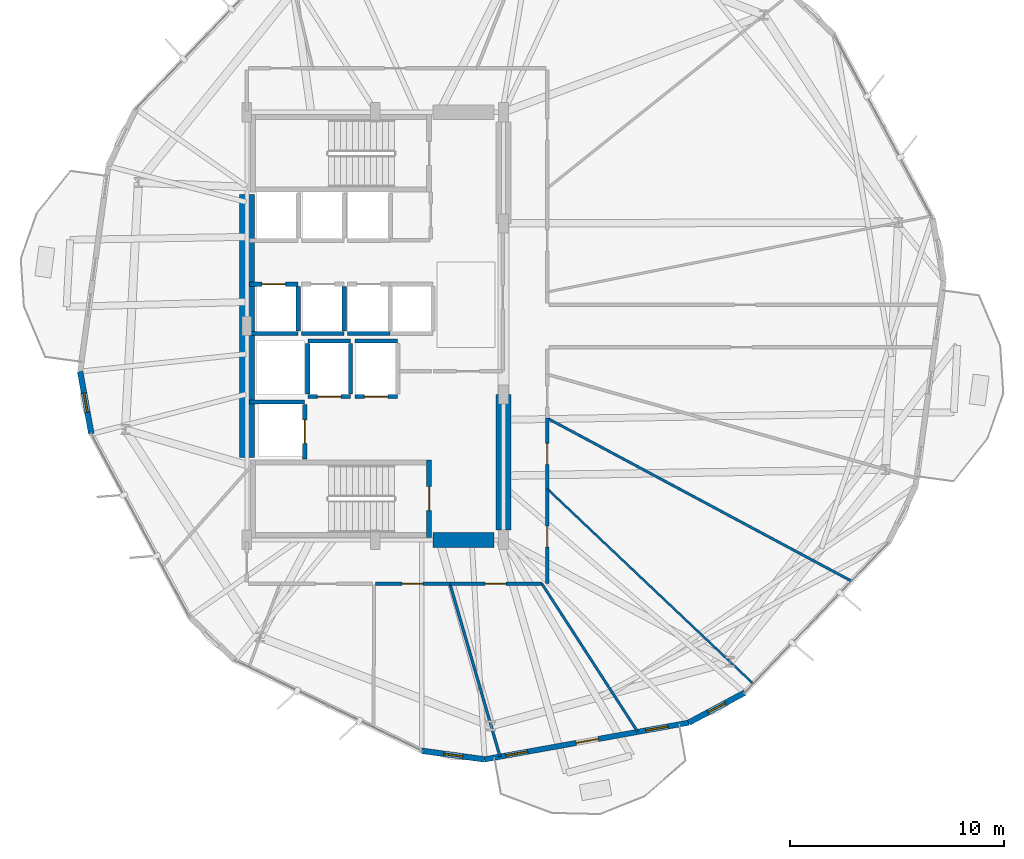
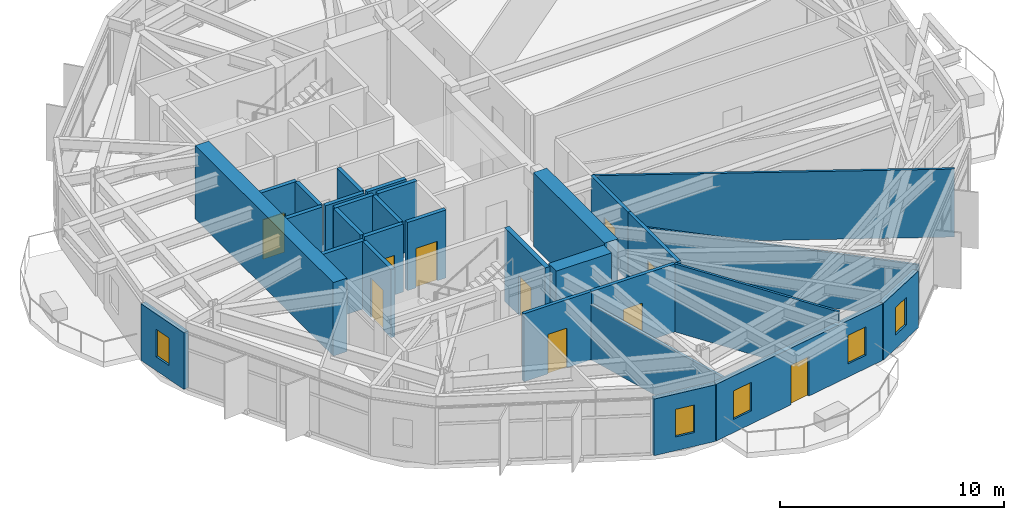
# One storey, part 17 of 22: 30 walls, 10 doors, 5 windows, 15 openings.
"""IFC4 building model written with IfcOpenShell, lengths in metres."""

import ifcopenshell
import ifcopenshell.guid

model = None  # the IFC model being written
_history = None  # IfcOwnerHistory: only IFC2X3 demands one
_inside = {}  # id of a spatial element -> (the spatial element, [elements in it])
_under = {}  # id of a project, library or spatial element -> (it, [spatial elements below it])
_declared = {}  # id of a project -> (the project, [libraries it declares])
_typed = {}  # id of a type object -> (the type object, [elements of that type])
_made_of = {}  # id of a material, layer set ... -> (it, [elements and type objects made of it])


def new_model(schema):
    """Start an empty IFC model of exactly this schema.

    Asked for "IFC4X3", IfcOpenShell would pick the latest addendum, in which some entities
    have other attributes; the version numbers below select the first issue.
    IFC2X3 requires an IfcOwnerHistory on every rooted entity: one is made here for all.
    """
    global model, _history
    if schema == "IFC4X3":
        model = ifcopenshell.file(schema_version=(4, 3, 0, 0))
    else:
        model = ifcopenshell.file(schema=schema)
    _inside.clear()
    _under.clear()
    _declared.clear()
    _typed.clear()
    _made_of.clear()
    _history = None
    if model.schema == "IFC2X3":
        org = make("IfcOrganization", Name="unknown")
        user = make(
            "IfcPersonAndOrganization",
            ThePerson=make("IfcPerson", FamilyName="unknown"),
            TheOrganization=org,
        )
        app = make(
            "IfcApplication",
            ApplicationDeveloper=org,
            Version="unknown",
            ApplicationFullName="unknown",
            ApplicationIdentifier="unknown",
        )
        _history = make(
            "IfcOwnerHistory",
            OwningUser=user,
            OwningApplication=app,
            ChangeAction="ADDED",
            CreationDate=0,
        )
    return model


def make(cls, **values):
    """One entity of the class cls with the attributes given. An attribute that is None is left unset."""
    return model.create_entity(
        cls, **{name: value for name, value in values.items() if value is not None}
    )


def rooted(cls, **values):
    """An entity with a GlobalId (a new one), such as an element, a storey or a relation."""
    return make(cls, GlobalId=ifcopenshell.guid.new(), OwnerHistory=_history, **values)


def si_unit(unit_type, name, prefix=None):
    """IfcSIUnit, for example si_unit("LENGTHUNIT", "METRE", prefix="MILLI")."""
    return make("IfcSIUnit", UnitType=unit_type, Prefix=prefix, Name=name)


def assignment(units):
    """IfcUnitAssignment: the units of a project."""
    return None if units is None else make("IfcUnitAssignment", Units=units)


def point(xyz):
    """IfcCartesianPoint."""
    return None if xyz is None else make("IfcCartesianPoint", Coordinates=xyz)


def direction(xyz):
    """IfcDirection."""
    return None if xyz is None else make("IfcDirection", DirectionRatios=xyz)


def frame(location, z_axis=None, x_axis=None):
    """IfcAxis2Placement3D, a coordinate frame: its origin and axes. An axis left out is left unset."""
    return make(
        "IfcAxis2Placement3D",
        Location=point(location),
        Axis=direction(z_axis),
        RefDirection=direction(x_axis),
    )


def frame_2d(location, x_axis=None):
    """IfcAxis2Placement2D, a coordinate frame in the plane: its origin and x axis."""
    return make(
        "IfcAxis2Placement2D", Location=point(location), RefDirection=direction(x_axis)
    )


def origin():
    """The frame at (0, 0, 0) with its axes left unset."""
    return frame((0.0, 0.0, 0.0))


def place(relative_to, where):
    """IfcLocalPlacement: puts the frame where relative to a parent placement (None: the world)."""
    return make(
        "IfcLocalPlacement", PlacementRelTo=relative_to, RelativePlacement=where
    )


def context(
    kind, dimensions, precision=None, world=None, true_north=None, identifier=None
):
    """IfcGeometricRepresentationContext, for example the 3D "Model" context."""
    return make(
        "IfcGeometricRepresentationContext",
        ContextIdentifier=identifier,
        ContextType=kind,
        CoordinateSpaceDimension=dimensions,
        Precision=precision,
        WorldCoordinateSystem=world,
        TrueNorth=true_north,
    )


def subcontext(parent, identifier, kind, view, scale=None):
    """IfcGeometricRepresentationSubContext, for example "Body" below "Model"."""
    return make(
        "IfcGeometricRepresentationSubContext",
        ContextIdentifier=identifier,
        ContextType=kind,
        ParentContext=parent,
        TargetScale=scale,
        TargetView=view,
    )


def project(units=None, contexts=None):
    """IfcProject with its units and contexts."""
    return rooted(
        "IfcProject",
        Name="project",
        RepresentationContexts=contexts,
        UnitsInContext=assignment(units),
    )


def spatial(cls, under=None, at=None, **own):
    """A site, building, storey or space (cls), placed at a placement, below another one or the project."""
    s = rooted(cls, ObjectPlacement=at, **own)
    if under is not None:
        _under.setdefault(under.id(), (under, []))[1].append(s)
    return s


def profile(cls, at=None, kind="AREA", **sizes):
    """A parametric profile (cls). Its sizes go by their IFC names, for example OverallWidth=200.0."""
    return make(cls, ProfileType=kind, Position=at, **sizes)


def rectangle(**sizes):
    """IfcRectangleProfileDef."""
    return profile("IfcRectangleProfileDef", **sizes)


def extrude(swept, where, along, depth):
    """IfcExtrudedAreaSolid: the profile swept, set in the frame where, extruded along a direction by depth."""
    return make(
        "IfcExtrudedAreaSolid",
        SweptArea=swept,
        Position=where,
        ExtrudedDirection=direction(along),
        Depth=depth,
    )


def shape(context_of_items, identifier, shape_type, items):
    """IfcShapeRepresentation: the items that make up one representation, for example the "Body"."""
    return make(
        "IfcShapeRepresentation",
        ContextOfItems=context_of_items,
        RepresentationIdentifier=identifier,
        RepresentationType=shape_type,
        Items=items,
    )


def material(Name=None, Category=None):
    """IfcMaterial."""
    return make("IfcMaterial", Name=Name, Category=Category)


def layer(
    of_material, thickness, ventilated=None, Name=None, Category=None, Priority=None
):
    """IfcMaterialLayer: one layer of a wall or slab, of a material (None: an air gap)."""
    return make(
        "IfcMaterialLayer",
        Material=of_material,
        LayerThickness=thickness,
        IsVentilated=ventilated,
        Name=Name,
        Category=Category,
        Priority=Priority,
    )


def layer_set(layers, Name=None):
    """IfcMaterialLayerSet."""
    return make("IfcMaterialLayerSet", MaterialLayers=layers, LayerSetName=Name)


def made_of(thing, what):
    """Note that an element or type object is made of a material, layer set ...; save() writes the relation."""
    if what is not None:
        _made_of.setdefault(what.id(), (what, []))[1].append(thing)
    return thing


def type_object(cls, material=None, **own):
    """A type object (cls), such as IfcWallType, which elements share."""
    return made_of(rooted(cls, **own), material)


def element(
    cls,
    number,
    at=None,
    inside=None,
    cuts=None,
    type_object=None,
    material=None,
    context=None,
    identifier="Body",
    shape_type=None,
    held_by="IfcProductDefinitionShape",
    body=None,
    shapes=None,
    **own,
):
    """One element of the class cls, such as IfcWall. Its Tag is "e" and its number.

    at: its placement. inside: the storey or other place that contains it. cuts: it is an
    opening in that element (IfcRelVoidsElement). A single representation is given by context,
    identifier, shape_type and body (its items); several are given by shapes. held_by: the class
    of the entity that holds the representations. save() writes the other relations.
    """
    e = rooted(cls, Tag="e%d" % number, ObjectPlacement=at, **own)
    if body is not None:
        shapes = [shape(context, identifier, shape_type, body)]
    if shapes is not None:
        e.Representation = make(held_by, Representations=shapes)
    if inside is not None:
        _inside.setdefault(inside.id(), (inside, []))[1].append(e)
    if cuts is not None:
        rooted(
            "IfcRelVoidsElement", RelatingBuildingElement=cuts, RelatedOpeningElement=e
        )
    if type_object is not None:
        _typed.setdefault(type_object.id(), (type_object, []))[1].append(e)
    return made_of(e, material)


def fill(opening, filler):
    """IfcRelFillsElement: the door or window that sits in an opening."""
    return rooted(
        "IfcRelFillsElement",
        RelatingOpeningElement=opening,
        RelatedBuildingElement=filler,
    )


def aggregate(whole, parts):
    """IfcRelAggregates: a whole, such as a stair, and the parts it consists of."""
    return rooted("IfcRelAggregates", RelatingObject=whole, RelatedObjects=parts)


def save(model, path):
    """Write the relations noted so far, then the file.

    IfcRelAggregates (storeys below a building ...), IfcRelContainedInSpatialStructure (elements
    in a storey), IfcRelDefinesByType, IfcRelAssociatesMaterial and IfcRelDeclares: one each for
    every whole, place, type object, material and project.
    """
    for whole, parts in _under.values():
        aggregate(whole, parts)
    for where, things in _inside.values():
        rooted(
            "IfcRelContainedInSpatialStructure",
            RelatedElements=things,
            RelatingStructure=where,
        )
    for kind, things in _typed.values():
        rooted("IfcRelDefinesByType", RelatedObjects=things, RelatingType=kind)
    for what, things in _made_of.values():
        rooted("IfcRelAssociatesMaterial", RelatedObjects=things, RelatingMaterial=what)
    for by, libraries in _declared.values():
        rooted("IfcRelDeclares", RelatingContext=by, RelatedDefinitions=libraries)
    model.write(path)


model = new_model("IFC4")

# Units and contexts
model_context = context("Model", 3, precision=1e-05, world=origin(), true_north=direction((0.0, 1.0)))
body_context = subcontext(model_context, "Body", "Model", "MODEL_VIEW")
ifc_project = project(units=[si_unit("LENGTHUNIT", "METRE"), si_unit("AREAUNIT", "SQUARE_METRE"), si_unit("VOLUMEUNIT", "CUBIC_METRE"), si_unit("PLANEANGLEUNIT", "RADIAN"), si_unit("MASSUNIT", "GRAM", prefix="KILO")], contexts=[model_context])

# Site, building, storey
site_placement = place(None, origin())
site = spatial("IfcSite", under=ifc_project, at=site_placement, CompositionType="ELEMENT")
building_placement = place(site_placement, origin())
building = spatial("IfcBuilding", under=site, at=building_placement, Name="Soratama Intermodal Tower", CompositionType="ELEMENT")
storey_placement = place(building_placement, frame((0.0, 0.0, 66.60009765625)))
storey = spatial("IfcBuildingStorey", under=building, at=storey_placement, Name="L15", CompositionType="ELEMENT", Elevation=66.60009765625)

# Wall, openings, door, windows
ifc_material_1 = material(Name="Concrete f'c 42 MPa", Category="concrete")
ifc_layer_1 = layer(ifc_material_1, 0.25)
ifc_layer_set_1 = layer_set([ifc_layer_1], Name="Concrete f'c 42 MPa")
wall_type_1 = type_object("IfcWallType", Name="EW-BAL-250", PredefinedType="SOLIDWALL", material=ifc_layer_set_1)
wall_1_placement = place(storey_placement, frame((43.720458984375, 4.7294921875, 0.0), z_axis=(0.0, 0.0, 1.0), x_axis=(0.984196927588, 0.177077406028, 0.0)))
wall_1 = element("IfcWall", 1, at=wall_1_placement, inside=storey, type_object=wall_type_1, Name="L15 Terrace Wall F08", PredefinedType="SOLIDWALL", context=body_context, shape_type="SweptSolid", body=[
    extrude(rectangle(XDim=9.697998046875, YDim=0.25, at=frame_2d((4.84912109375, 0.0))), origin(), (0.0, 0.0, 1.0), 3.078857421875),
])
opening_1_placement = place(wall_1_placement, frame((4.34912109375, 0.0, 0.0)))
opening_1 = element("IfcOpeningElement", 2, at=opening_1_placement, cuts=wall_1, Name="Opening ED-5", PredefinedType="OPENING", context=body_context, shape_type="SweptSolid", body=[
    extrude(rectangle(XDim=1.050048828125, YDim=2.14990234375, at=frame_2d((0.52490234375, 1.074951171875))), frame((0.0, 0.135009765625, 0.0), z_axis=(0.0, -1.0, 0.0), x_axis=(1.0, 0.0, 0.0)), (0.0, 0.0, 1.0), 0.27001953125),
])
opening_2_placement = place(wall_1_placement, frame((0.994873046875, 0.0, 0.719970703125)))
opening_2 = element("IfcOpeningElement", 3, at=opening_2_placement, cuts=wall_1, Name="Opening WN-5", PredefinedType="OPENING", context=body_context, shape_type="SweptSolid", body=[
    extrude(rectangle(XDim=1.050048828125, YDim=1.550048828125, at=frame_2d((0.52490234375, 0.77490234375))), frame((0.0, 0.135009765625, 0.0), z_axis=(0.0, -1.0, 0.0), x_axis=(1.0, 0.0, 0.0)), (0.0, 0.0, 1.0), 0.27001953125),
])
opening_3_placement = place(wall_1_placement, frame((7.665771484375, 0.0, 0.719970703125)))
opening_3 = element("IfcOpeningElement", 4, at=opening_3_placement, cuts=wall_1, Name="Opening WN-5", PredefinedType="OPENING", context=body_context, shape_type="SweptSolid", body=[
    extrude(rectangle(XDim=1.050048828125, YDim=1.550048828125, at=frame_2d((0.52490234375, 0.77490234375))), frame((0.0, 0.135009765625, 0.0), z_axis=(0.0, -1.0, 0.0), x_axis=(1.0, 0.0, 0.0)), (0.0, 0.0, 1.0), 0.27001953125),
])
ifc_material_2 = material(Name="Double-glazed aluminium door", Category="aluminium")
door_type_1 = type_object("IfcDoorType", Name="DR-BAL-1050", OperationType="NOTDEFINED", PredefinedType="DOOR", material=ifc_material_2)
door_1_placement = place(opening_1_placement, origin())
door_1 = element("IfcDoor", 5, at=door_1_placement, inside=storey, type_object=door_type_1, Name="L15 Balcony Door F08", OperationType="SINGLE_SWING_RIGHT", OverallHeight=2.14990234375, OverallWidth=1.050048828125, PredefinedType="DOOR", context=body_context, shape_type="SweptSolid", body=[
    extrude(rectangle(XDim=1.050048828125, YDim=2.14990234375, at=frame_2d((0.52490234375, 1.074951171875))), frame((0.0, 0.02490234375, 0.0), z_axis=(0.0, -1.0, 0.0), x_axis=(1.0, 0.0, 0.0)), (0.0, 0.0, 1.0), 0.050048828125),
])
fill(opening_1, door_1)
ifc_material_3 = material(Name="Double-glazed aluminium window", Category="aluminium")
window_type_1 = type_object("IfcWindowType", Name="WN-FAC-1050", PartitioningType="SINGLE_PANEL", PredefinedType="WINDOW", material=ifc_material_3)
window_1_placement = place(opening_2_placement, origin())
window_1 = element("IfcWindow", 6, at=window_1_placement, inside=storey, type_object=window_type_1, Name="L15 Window A F08", OverallHeight=1.550048828125, OverallWidth=1.050048828125, PartitioningType="SINGLE_PANEL", PredefinedType="WINDOW", context=body_context, shape_type="SweptSolid", body=[
    extrude(rectangle(XDim=1.050048828125, YDim=1.550048828125, at=frame_2d((0.52490234375, 0.77490234375))), frame((0.0, 0.030029296875, 0.0), z_axis=(0.0, -1.0, 0.0), x_axis=(1.0, 0.0, 0.0)), (0.0, 0.0, 1.0), 0.06005859375),
])
fill(opening_2, window_1)
window_2_placement = place(opening_3_placement, origin())
window_2 = element("IfcWindow", 7, at=window_2_placement, inside=storey, type_object=window_type_1, Name="L15 Window B F08", OverallHeight=1.550048828125, OverallWidth=1.050048828125, PartitioningType="SINGLE_PANEL", PredefinedType="WINDOW", context=body_context, shape_type="SweptSolid", body=[
    extrude(rectangle(XDim=1.050048828125, YDim=1.550048828125, at=frame_2d((0.52490234375, 0.77490234375))), frame((0.0, 0.030029296875, 0.0), z_axis=(0.0, -1.0, 0.0), x_axis=(1.0, 0.0, 0.0)), (0.0, 0.0, 1.0), 0.06005859375),
])
fill(opening_3, window_2)

# Wall, opening, window
ifc_material_4 = material(Name="Concrete f'c 42 MPa", Category="concrete")
ifc_layer_2 = layer(ifc_material_4, 0.27001953125)
ifc_layer_set_2 = layer_set([ifc_layer_2], Name="Concrete f'c 42 MPa")
wall_type_2 = type_object("IfcWallType", Name="EW-CRN-270", PredefinedType="SOLIDWALL", material=ifc_layer_set_2)
wall_2_placement = place(storey_placement, frame((24.80078125, 22.872802734375, 0.0), z_axis=(0.0, 0.0, 1.0), x_axis=(0.177089231547, -0.984194799859, 0.0)))
wall_2 = element("IfcWall", 8, at=wall_2_placement, inside=storey, type_object=wall_type_2, Name="L15 Corner Closure Wall 05", PredefinedType="SOLIDWALL", context=body_context, shape_type="SweptSolid", body=[
    extrude(rectangle(XDim=2.966796875, YDim=0.27001953125, at=frame_2d((1.4833984375, 0.0))), origin(), (0.0, 0.0, 1.0), 3.078857421875),
])
opening_4_placement = place(wall_2_placement, frame((1.033203125, 0.0, 0.75)))
opening_4 = element("IfcOpeningElement", 9, at=opening_4_placement, cuts=wall_2, Name="Opening WN-6", PredefinedType="OPENING", context=body_context, shape_type="SweptSolid", body=[
    extrude(rectangle(XDim=0.89990234375, YDim=1.5, at=frame_2d((0.449951171875, 0.75))), frame((0.0, 0.14501953125, 0.0), z_axis=(0.0, -1.0, 0.0), x_axis=(1.0, 0.0, 0.0)), (0.0, 0.0, 1.0), 0.2900390625),
])
ifc_material_5 = material(Name="Double-glazed aluminium window", Category="aluminium")
window_type_2 = type_object("IfcWindowType", Name="WN-FAC-900", PartitioningType="SINGLE_PANEL", PredefinedType="WINDOW", material=ifc_material_5)
window_3_placement = place(opening_4_placement, origin())
window_3 = element("IfcWindow", 10, at=window_3_placement, inside=storey, type_object=window_type_2, Name="L15 Corner Window 05", OverallHeight=1.5, OverallWidth=0.89990234375, PartitioningType="SINGLE_PANEL", PredefinedType="WINDOW", context=body_context, shape_type="SweptSolid", body=[
    extrude(rectangle(XDim=0.89990234375, YDim=1.5, at=frame_2d((0.449951171875, 0.75))), frame((0.0, 0.030029296875, 0.0), z_axis=(0.0, -1.0, 0.0), x_axis=(1.0, 0.0, 0.0)), (0.0, 0.0, 1.0), 0.06005859375),
])
fill(opening_4, window_3)

wall_3_placement = place(storey_placement, frame((40.78125, 5.132080078125, 0.0), z_axis=(0.0, 0.0, 1.0), x_axis=(0.990749365916, -0.13570443595, 0.0)))
wall_3 = element("IfcWall", 11, at=wall_3_placement, inside=storey, type_object=wall_type_2, Name="L15 Corner Closure Wall 07", PredefinedType="SOLIDWALL", context=body_context, shape_type="SweptSolid", body=[
    extrude(rectangle(XDim=2.966552734375, YDim=0.27001953125, at=frame_2d((1.4833984375, 0.0))), origin(), (0.0, 0.0, 1.0), 3.078857421875),
])
opening_5_placement = place(wall_3_placement, frame((1.033203125, 0.0, 0.75)))
opening_5 = element("IfcOpeningElement", 12, at=opening_5_placement, cuts=wall_3, Name="Opening WN-6", PredefinedType="OPENING", context=body_context, shape_type="SweptSolid", body=[
    extrude(rectangle(XDim=0.89990234375, YDim=1.5, at=frame_2d((0.449951171875, 0.75))), frame((0.0, 0.14501953125, 0.0), z_axis=(0.0, -1.0, 0.0), x_axis=(1.0, 0.0, 0.0)), (0.0, 0.0, 1.0), 0.2900390625),
])
window_4_placement = place(opening_5_placement, origin())
window_4 = element("IfcWindow", 13, at=window_4_placement, inside=storey, type_object=window_type_2, Name="L15 Corner Window 07", OverallHeight=1.5, OverallWidth=0.89990234375, PartitioningType="SINGLE_PANEL", PredefinedType="WINDOW", context=body_context, shape_type="SweptSolid", body=[
    extrude(rectangle(XDim=0.89990234375, YDim=1.5, at=frame_2d((0.449951171875, 0.75))), frame((0.0, 0.030029296875, 0.0), z_axis=(0.0, -1.0, 0.0), x_axis=(1.0, 0.0, 0.0)), (0.0, 0.0, 1.0), 0.06005859375),
])
fill(opening_5, window_4)

wall_4_placement = place(storey_placement, frame((53.26513671875, 6.44677734375, 0.0), z_axis=(0.0, 0.0, 1.0), x_axis=(0.881307407795, 0.47254338739, 0.0)))
wall_4 = element("IfcWall", 14, at=wall_4_placement, inside=storey, type_object=wall_type_2, Name="L15 Corner Closure Wall 08", PredefinedType="SOLIDWALL", context=body_context, shape_type="SweptSolid", body=[
    extrude(rectangle(XDim=2.966552734375, YDim=0.27001953125, at=frame_2d((1.4833984375, 0.0))), origin(), (0.0, 0.0, 1.0), 3.078857421875),
])
opening_6_placement = place(wall_4_placement, frame((1.033203125, 0.0, 0.75)))
opening_6 = element("IfcOpeningElement", 15, at=opening_6_placement, cuts=wall_4, Name="Opening WN-6", PredefinedType="OPENING", context=body_context, shape_type="SweptSolid", body=[
    extrude(rectangle(XDim=0.89990234375, YDim=1.5, at=frame_2d((0.449951171875, 0.75))), frame((0.0, 0.14501953125, 0.0), z_axis=(0.0, -1.0, 0.0), x_axis=(1.0, 0.0, 0.0)), (0.0, 0.0, 1.0), 0.2900390625),
])
window_5_placement = place(opening_6_placement, origin())
window_5 = element("IfcWindow", 16, at=window_5_placement, inside=storey, type_object=window_type_2, Name="L15 Corner Window 08", OverallHeight=1.5, OverallWidth=0.89990234375, PartitioningType="SINGLE_PANEL", PredefinedType="WINDOW", context=body_context, shape_type="SweptSolid", body=[
    extrude(rectangle(XDim=0.89990234375, YDim=1.5, at=frame_2d((0.449951171875, 0.75))), frame((0.0, 0.030029296875, 0.0), z_axis=(0.0, -1.0, 0.0), x_axis=(1.0, 0.0, 0.0)), (0.0, 0.0, 1.0), 0.06005859375),
])
fill(opening_6, window_5)

# Wall, opening, door
ifc_material_6 = material(Name="Fire-rated gypsum stud partition", Category="concrete")
ifc_layer_3 = layer(ifc_material_6, 0.169921875)
ifc_layer_set_3 = layer_set([ifc_layer_3], Name="Fire-rated gypsum stud partition")
wall_type_3 = type_object("IfcWallType", Name="IW-PART-R170", PredefinedType="PARTITIONING", material=ifc_layer_set_3)
wall_5_placement = place(storey_placement, frame((46.64990234375, 17.385009765625, 0.0), z_axis=(0.0, 0.0, 1.0), x_axis=(0.0, -1.0, 0.0)))
wall_5 = element("IfcWall", 17, at=wall_5_placement, inside=storey, type_object=wall_type_3, Name="L15 Partition W-L15-TP018", PredefinedType="PARTITIONING", context=body_context, shape_type="SweptSolid", body=[
    extrude(rectangle(XDim=4.43505859375, YDim=0.169921875, at=frame_2d((2.217529296875, 0.0))), origin(), (0.0, 0.0, 1.0), 3.699951171875),
])
opening_7_placement = place(wall_5_placement, frame((1.742919921875, 0.0, 0.0)))
opening_7 = element("IfcOpeningElement", 18, at=opening_7_placement, cuts=wall_5, Name="Opening ID-5", PredefinedType="OPENING", context=body_context, shape_type="SweptSolid", body=[
    extrude(rectangle(XDim=0.97998046875, YDim=2.14990234375, at=frame_2d((0.489990234375, 1.074951171875))), frame((0.0, 0.094970703125, 0.0), z_axis=(0.0, -1.0, 0.0), x_axis=(1.0, 0.0, 0.0)), (0.0, 0.0, 1.0), 0.18994140625),
])
ifc_material_7 = material(Name="Solid hardwood acoustic door", Category="wood")
door_type_2 = type_object("IfcDoorType", Name="DR-OFF-980", OperationType="NOTDEFINED", PredefinedType="DOOR", material=ifc_material_7)
door_2_placement = place(opening_7_placement, origin())
door_2 = element("IfcDoor", 19, at=door_2_placement, inside=storey, type_object=door_type_2, Name="L15 Door D-L15-TP007", OperationType="SINGLE_SWING_RIGHT", OverallHeight=2.14990234375, OverallWidth=0.97998046875, PredefinedType="DOOR", context=body_context, shape_type="SweptSolid", body=[
    extrude(rectangle(XDim=0.97998046875, YDim=2.14990234375, at=frame_2d((0.489990234375, 1.074951171875))), frame((0.0, 0.02490234375, 0.0), z_axis=(0.0, -1.0, 0.0), x_axis=(1.0, 0.0, 0.0)), (0.0, 0.0, 1.0), 0.050048828125),
])
fill(opening_7, door_2)

wall_6_placement = place(storey_placement, frame((46.39501953125, 12.949951171875, 0.0), z_axis=(0.0, 0.0, 1.0), x_axis=(-1.0, 0.0, 0.0)))
wall_6 = element("IfcWall", 20, at=wall_6_placement, inside=storey, type_object=wall_type_3, Name="L15 Partition W-L15-TP020", PredefinedType="PARTITIONING", context=body_context, shape_type="SweptSolid", body=[
    extrude(rectangle(XDim=4.301025390625, YDim=0.169921875, at=frame_2d((2.150390625, 0.0))), origin(), (0.0, 0.0, 1.0), 3.699951171875),
])
opening_8_placement = place(wall_6_placement, frame((1.676025390625, 0.0, 0.0)))
opening_8 = element("IfcOpeningElement", 21, at=opening_8_placement, cuts=wall_6, Name="Opening ID-5", PredefinedType="OPENING", context=body_context, shape_type="SweptSolid", body=[
    extrude(rectangle(XDim=0.97998046875, YDim=2.14990234375, at=frame_2d((0.489990234375, 1.074951171875))), frame((0.0, 0.094970703125, 0.0), z_axis=(0.0, -1.0, 0.0), x_axis=(1.0, 0.0, 0.0)), (0.0, 0.0, 1.0), 0.18994140625),
])
door_3_placement = place(opening_8_placement, origin())
door_3 = element("IfcDoor", 22, at=door_3_placement, inside=storey, type_object=door_type_2, Name="L15 Door D-L15-TP009", OperationType="SINGLE_SWING_RIGHT", OverallHeight=2.14990234375, OverallWidth=0.97998046875, PredefinedType="DOOR", context=body_context, shape_type="SweptSolid", body=[
    extrude(rectangle(XDim=0.97998046875, YDim=2.14990234375, at=frame_2d((0.489990234375, 1.074951171875))), frame((0.0, 0.02490234375, 0.0), z_axis=(0.0, -1.0, 0.0), x_axis=(1.0, 0.0, 0.0)), (0.0, 0.0, 1.0), 0.050048828125),
])
fill(opening_8, door_3)

wall_7_placement = place(storey_placement, frame((42.093994140625, 12.949951171875, 0.0), z_axis=(0.0, 0.0, 1.0), x_axis=(-1.0, 0.0, 0.0)))
wall_7 = element("IfcWall", 23, at=wall_7_placement, inside=storey, type_object=wall_type_3, Name="L15 Partition W-L15-TP022", PredefinedType="PARTITIONING", context=body_context, shape_type="SweptSolid", body=[
    extrude(rectangle(XDim=3.47509765625, YDim=0.169921875, at=frame_2d((1.737548828125, 0.0))), origin(), (0.0, 0.0, 1.0), 3.699951171875),
])
opening_9_placement = place(wall_7_placement, frame((1.262939453125, 0.0, 0.0)))
opening_9 = element("IfcOpeningElement", 24, at=opening_9_placement, cuts=wall_7, Name="Opening ID-5", PredefinedType="OPENING", context=body_context, shape_type="SweptSolid", body=[
    extrude(rectangle(XDim=0.97998046875, YDim=2.14990234375, at=frame_2d((0.489990234375, 1.074951171875))), frame((0.0, 0.094970703125, 0.0), z_axis=(0.0, -1.0, 0.0), x_axis=(1.0, 0.0, 0.0)), (0.0, 0.0, 1.0), 0.18994140625),
])
door_4_placement = place(opening_9_placement, origin())
door_4 = element("IfcDoor", 25, at=door_4_placement, inside=storey, type_object=door_type_2, Name="L15 Door D-L15-TP010", OperationType="SINGLE_SWING_LEFT", OverallHeight=2.14990234375, OverallWidth=0.97998046875, PredefinedType="DOOR", context=body_context, shape_type="SweptSolid", body=[
    extrude(rectangle(XDim=0.97998046875, YDim=2.14990234375, at=frame_2d((0.489990234375, 1.074951171875))), frame((0.0, 0.02490234375, 0.0), z_axis=(0.0, -1.0, 0.0), x_axis=(1.0, 0.0, 0.0)), (0.0, 0.0, 1.0), 0.050048828125),
])
fill(opening_9, door_4)

wall_8_placement = place(storey_placement, frame((46.64990234375, 20.68896484375, 0.0), z_axis=(0.0, 0.0, 1.0), x_axis=(0.0, -1.0, 0.0)))
wall_8 = element("IfcWall", 26, at=wall_8_placement, inside=storey, type_object=wall_type_3, Name="L15 Partition W-L15-TP023", PredefinedType="PARTITIONING", context=body_context, shape_type="SweptSolid", body=[
    extrude(rectangle(XDim=3.303955078125, YDim=0.169921875, at=frame_2d((1.65185546875, 0.0))), origin(), (0.0, 0.0, 1.0), 3.699951171875),
])
opening_10_placement = place(wall_8_placement, frame((1.177001953125, 0.0, 0.0)))
opening_10 = element("IfcOpeningElement", 27, at=opening_10_placement, cuts=wall_8, Name="Opening ID-5", PredefinedType="OPENING", context=body_context, shape_type="SweptSolid", body=[
    extrude(rectangle(XDim=0.97998046875, YDim=2.14990234375, at=frame_2d((0.489990234375, 1.074951171875))), frame((0.0, 0.094970703125, 0.0), z_axis=(0.0, -1.0, 0.0), x_axis=(1.0, 0.0, 0.0)), (0.0, 0.0, 1.0), 0.18994140625),
])
door_5_placement = place(opening_10_placement, origin())
door_5 = element("IfcDoor", 28, at=door_5_placement, inside=storey, type_object=door_type_2, Name="L15 Door D-L15-TP011", OperationType="SINGLE_SWING_RIGHT", OverallHeight=2.14990234375, OverallWidth=0.97998046875, PredefinedType="DOOR", context=body_context, shape_type="SweptSolid", body=[
    extrude(rectangle(XDim=0.97998046875, YDim=2.14990234375, at=frame_2d((0.489990234375, 1.074951171875))), frame((0.0, 0.02490234375, 0.0), z_axis=(0.0, -1.0, 0.0), x_axis=(1.0, 0.0, 0.0)), (0.0, 0.0, 1.0), 0.050048828125),
])
fill(opening_10, door_5)

# Walls
ifc_material_8 = material(Name="Fire-rated gypsum stud partition", Category="concrete")
ifc_layer_4 = layer(ifc_material_8, 0.10009765625)
ifc_layer_set_4 = layer_set([ifc_layer_4], Name="Fire-rated gypsum stud partition")
wall_type_4 = type_object("IfcWallType", Name="IW-PART-S100", PredefinedType="PARTITIONING", material=ifc_layer_set_4)
wall_9_placement = place(storey_placement, frame((46.64990234375, 17.385009765625, 0.0), z_axis=(0.0, 0.0, 1.0), x_axis=(0.726403836212, -0.687268118522, 0.0)))
element("IfcWall", 29, at=wall_9_placement, inside=storey, type_object=wall_type_4, Name="L15 Partition W-L15-TP007", PredefinedType="PARTITIONING", context=body_context, shape_type="SweptSolid", body=[
    extrude(rectangle(XDim=13.2626953125, YDim=0.10009765625, at=frame_2d((6.63134765625, 0.0))), origin(), (0.0, 0.0, 1.0), 2.994873046875),
])
ifc_material_9 = material(Name="Fire-rated gypsum stud partition", Category="concrete")
ifc_layer_5 = layer(ifc_material_9, 0.1201171875)
ifc_layer_set_5 = layer_set([ifc_layer_5], Name="Fire-rated gypsum stud partition")
wall_type_5 = type_object("IfcWallType", Name="IW-PART-S120", PredefinedType="PARTITIONING", material=ifc_layer_set_5)
wall_10_placement = place(storey_placement, frame((46.64990234375, 20.68896484375, 0.0), z_axis=(0.0, 0.0, 1.0), x_axis=(0.881611431833, -0.471975935045, 0.0)))
element("IfcWall", 30, at=wall_10_placement, inside=storey, type_object=wall_type_5, Name="L15 Partition W-L15-TP005", PredefinedType="PARTITIONING", context=body_context, shape_type="SweptSolid", body=[
    extrude(rectangle(XDim=16.146728515625, YDim=0.1201171875, at=frame_2d((8.0732421875, 0.0))), origin(), (0.0, 0.0, 1.0), 3.699951171875),
])
wall_11_placement = place(storey_placement, frame((46.39501953125, 12.949951171875, 0.0), z_axis=(0.0, 0.0, 1.0), x_axis=(0.543315028439, -0.839528903536, 0.0)))
element("IfcWall", 31, at=wall_11_placement, inside=storey, type_object=wall_type_5, Name="L15 Partition W-L15-TP010", PredefinedType="PARTITIONING", context=body_context, shape_type="SweptSolid", body=[
    extrude(rectangle(XDim=8.2568359375, YDim=0.1201171875, at=frame_2d((4.12841796875, 0.0))), origin(), (0.0, 0.0, 1.0), 3.699951171875),
])
ifc_material_10 = material(Name="Fire-rated gypsum stud partition", Category="concrete")
ifc_layer_6 = layer(ifc_material_10, 0.1298828125)
ifc_layer_set_6 = layer_set([ifc_layer_6], Name="Fire-rated gypsum stud partition")
wall_type_6 = type_object("IfcWallType", Name="IW-PART-S130", PredefinedType="PARTITIONING", material=ifc_layer_set_6)
wall_12_placement = place(storey_placement, frame((42.093994140625, 12.949951171875, 0.0), z_axis=(0.0, 0.0, 1.0), x_axis=(0.278473925735, -0.960443789446, 0.0)))
element("IfcWall", 32, at=wall_12_placement, inside=storey, type_object=wall_type_6, Name="L15 Partition W-L15-TP009", PredefinedType="PARTITIONING", context=body_context, shape_type="SweptSolid", body=[
    extrude(rectangle(XDim=8.42431640625, YDim=0.1298828125, at=frame_2d((4.212158203125, 0.0))), origin(), (0.0, 0.0, 1.0), 2.994873046875),
])

# Wall, opening, door
ifc_material_11 = material(Name="Concrete f'c 42 MPa", Category="concrete")
ifc_layer_7 = layer(ifc_material_11, 0.199951171875)
ifc_layer_set_7 = layer_set([ifc_layer_7], Name="Concrete f'c 42 MPa")
wall_type_7 = type_object("IfcWallType", Name="IW-SHAFT-200", PredefinedType="SOLIDWALL", material=ifc_layer_set_7)
wall_13_placement = place(storey_placement, frame((35.449951171875, 21.699951171875, 0.0), z_axis=(0.0, 0.0, 1.0), x_axis=(1.0, 0.0, 0.0)))
wall_13 = element("IfcWall", 33, at=wall_13_placement, inside=storey, type_object=wall_type_7, Name="L15 FFL-1 Hoistway Wall S", PredefinedType="SOLIDWALL", context=body_context, shape_type="SweptSolid", body=[
    extrude(rectangle(XDim=2.0, YDim=0.199951171875, at=frame_2d((1.0, 0.0))), origin(), (0.0, 0.0, 1.0), 3.699951171875),
])
opening_11_placement = place(wall_13_placement, frame((0.449951171875, 0.0, 0.0)))
opening_11 = element("IfcOpeningElement", 34, at=opening_11_placement, cuts=wall_13, Name="Opening LD-1", PredefinedType="OPENING", context=body_context, shape_type="SweptSolid", body=[
    extrude(rectangle(XDim=1.10009765625, YDim=2.14990234375, at=frame_2d((0.550048828125, 1.074951171875))), frame((0.0, 0.10986328125, 0.0), z_axis=(0.0, -1.0, 0.0), x_axis=(1.0, 0.0, 0.0)), (0.0, 0.0, 1.0), 0.219970703125),
])
ifc_material_12 = material(Name="Steel fire door", Category="steel")
door_type_3 = type_object("IfcDoorType", Name="DR-LIFT-SLIDE", OperationType="NOTDEFINED", PredefinedType="DOOR", material=ifc_material_12)
door_6_placement = place(opening_11_placement, origin())
door_6 = element("IfcDoor", 35, at=door_6_placement, inside=storey, type_object=door_type_3, Name="L15 FFL-1 Sliding Landing Door", OperationType="SLIDING_TO_LEFT", OverallHeight=2.14990234375, OverallWidth=1.10009765625, PredefinedType="DOOR", context=body_context, shape_type="SweptSolid", body=[
    extrude(rectangle(XDim=1.10009765625, YDim=2.14990234375, at=frame_2d((0.550048828125, 1.074951171875))), frame((0.0, 0.02490234375, 0.0), z_axis=(0.0, -1.0, 0.0), x_axis=(1.0, 0.0, 0.0)), (0.0, 0.0, 1.0), 0.050048828125),
])
fill(opening_11, door_6)

# Walls
wall_14_placement = place(storey_placement, frame((35.449951171875, 24.300048828125, 0.0), z_axis=(0.0, 0.0, 1.0), x_axis=(1.0, 0.0, 0.0)))
element("IfcWall", 36, at=wall_14_placement, inside=storey, type_object=wall_type_7, Name="L15 FFL-1 Hoistway Wall N", PredefinedType="SOLIDWALL", context=body_context, shape_type="SweptSolid", body=[
    extrude(rectangle(XDim=2.0, YDim=0.199951171875, at=frame_2d((1.0, 0.0))), origin(), (0.0, 0.0, 1.0), 3.699951171875),
])
for number, where, z_axis, x_axis, name in (
    (37, (35.449951171875, 21.81005859375, 0.0), (0.0, 0.0, 1.0), (0.0, 1.0, 0.0), "L15 FFL-1 Hoistway Wall W"),
    (38, (37.449951171875, 21.81005859375, 0.0), (0.0, 0.0, 1.0), (0.0, 1.0, 0.0), "L15 FFL-1 Hoistway Wall E"),
):
    element("IfcWall", number, at=place(storey_placement, frame(where, z_axis=z_axis, x_axis=x_axis)), inside=storey, type_object=wall_type_7, Name=name, PredefinedType="SOLIDWALL", context=body_context, shape_type="SweptSolid", body=[
        extrude(rectangle(XDim=2.3798828125, YDim=0.199951171875, at=frame_2d((1.18994140625, 0.0))), origin(), (0.0, 0.0, 1.0), 3.699951171875),
    ])

# Wall, opening, door
wall_15_placement = place(storey_placement, frame((37.64990234375, 21.699951171875, 0.0), z_axis=(0.0, 0.0, 1.0), x_axis=(1.0, 0.0, 0.0)))
wall_15 = element("IfcWall", 39, at=wall_15_placement, inside=storey, type_object=wall_type_7, Name="L15 FFL-2 Hoistway Wall S", PredefinedType="SOLIDWALL", context=body_context, shape_type="SweptSolid", body=[
    extrude(rectangle(XDim=2.0, YDim=0.199951171875, at=frame_2d((1.0, 0.0))), origin(), (0.0, 0.0, 1.0), 3.699951171875),
])
opening_12_placement = place(wall_15_placement, frame((0.449951171875, 0.0, 0.0)))
opening_12 = element("IfcOpeningElement", 40, at=opening_12_placement, cuts=wall_15, Name="Opening LD-1", PredefinedType="OPENING", context=body_context, shape_type="SweptSolid", body=[
    extrude(rectangle(XDim=1.10009765625, YDim=2.14990234375, at=frame_2d((0.550048828125, 1.074951171875))), frame((0.0, 0.10986328125, 0.0), z_axis=(0.0, -1.0, 0.0), x_axis=(1.0, 0.0, 0.0)), (0.0, 0.0, 1.0), 0.219970703125),
])
door_7_placement = place(opening_12_placement, origin())
door_7 = element("IfcDoor", 41, at=door_7_placement, inside=storey, type_object=door_type_3, Name="L15 FFL-2 Sliding Landing Door", OperationType="SLIDING_TO_LEFT", OverallHeight=2.14990234375, OverallWidth=1.10009765625, PredefinedType="DOOR", context=body_context, shape_type="SweptSolid", body=[
    extrude(rectangle(XDim=1.10009765625, YDim=2.14990234375, at=frame_2d((0.550048828125, 1.074951171875))), frame((0.0, 0.02490234375, 0.0), z_axis=(0.0, -1.0, 0.0), x_axis=(1.0, 0.0, 0.0)), (0.0, 0.0, 1.0), 0.050048828125),
])
fill(opening_12, door_7)

# Walls
wall_16_placement = place(storey_placement, frame((37.64990234375, 24.300048828125, 0.0), z_axis=(0.0, 0.0, 1.0), x_axis=(1.0, 0.0, 0.0)))
element("IfcWall", 42, at=wall_16_placement, inside=storey, type_object=wall_type_7, Name="L15 FFL-2 Hoistway Wall N", PredefinedType="SOLIDWALL", context=body_context, shape_type="SweptSolid", body=[
    extrude(rectangle(XDim=2.0, YDim=0.199951171875, at=frame_2d((1.0, 0.0))), origin(), (0.0, 0.0, 1.0), 3.699951171875),
])
wall_17_placement = place(storey_placement, frame((32.719970703125, 21.449951171875, 0.0), z_axis=(0.0, 0.0, 1.0), x_axis=(1.0, 0.0, 0.0)))
element("IfcWall", 43, at=wall_17_placement, inside=storey, type_object=wall_type_7, Name="L15 SVL-1 Hoistway Wall N", PredefinedType="SOLIDWALL", context=body_context, shape_type="SweptSolid", body=[
    extrude(rectangle(XDim=2.580078125, YDim=0.199951171875, at=frame_2d((1.2900390625, 0.0))), origin(), (0.0, 0.0, 1.0), 3.699951171875),
])

# Wall, opening, door
wall_18_placement = place(storey_placement, frame((35.300048828125, 18.7900390625, 0.0), z_axis=(0.0, 0.0, 1.0), x_axis=(0.0, 1.0, 0.0)))
wall_18 = element("IfcWall", 44, at=wall_18_placement, inside=storey, type_object=wall_type_7, Name="L15 SVL-1 Hoistway Wall E", PredefinedType="SOLIDWALL", context=body_context, shape_type="SweptSolid", body=[
    extrude(rectangle(XDim=2.550048828125, YDim=0.199951171875, at=frame_2d((1.27490234375, 0.0))), origin(), (0.0, 0.0, 1.0), 3.699951171875),
])
opening_13_placement = place(wall_18_placement, frame((0.72509765625, 0.0, 0.0)))
opening_13 = element("IfcOpeningElement", 45, at=opening_13_placement, cuts=wall_18, Name="Opening LD-1", PredefinedType="OPENING", context=body_context, shape_type="SweptSolid", body=[
    extrude(rectangle(XDim=1.10009765625, YDim=2.14990234375, at=frame_2d((0.550048828125, 1.074951171875))), frame((0.0, 0.10986328125, 0.0), z_axis=(0.0, -1.0, 0.0), x_axis=(1.0, 0.0, 0.0)), (0.0, 0.0, 1.0), 0.219970703125),
])
door_8_placement = place(opening_13_placement, origin())
door_8 = element("IfcDoor", 46, at=door_8_placement, inside=storey, type_object=door_type_3, Name="L15 SVL-1 Sliding Landing Door", OperationType="SLIDING_TO_LEFT", OverallHeight=2.14990234375, OverallWidth=1.10009765625, PredefinedType="DOOR", context=body_context, shape_type="SweptSolid", body=[
    extrude(rectangle(XDim=1.10009765625, YDim=2.14990234375, at=frame_2d((0.550048828125, 1.074951171875))), frame((0.0, 0.02490234375, 0.0), z_axis=(0.0, -1.0, 0.0), x_axis=(1.0, 0.0, 0.0)), (0.0, 0.0, 1.0), 0.050048828125),
])
fill(opening_13, door_8)

# Wall
wall_19_placement = place(storey_placement, frame((32.719970703125, 24.64990234375, 0.0), z_axis=(0.0, 0.0, 1.0), x_axis=(1.0, 0.0, 0.0)))
element("IfcWall", 47, at=wall_19_placement, inside=storey, type_object=wall_type_7, Name="L15 PL-L1 Hoistway Wall S", PredefinedType="SOLIDWALL", context=body_context, shape_type="SweptSolid", body=[
    extrude(rectangle(XDim=2.280029296875, YDim=0.199951171875, at=frame_2d((1.14013671875, 0.0))), origin(), (0.0, 0.0, 1.0), 3.699951171875),
])

# Wall, opening, door
wall_20_placement = place(storey_placement, frame((32.719970703125, 26.949951171875, 0.0), z_axis=(0.0, 0.0, 1.0), x_axis=(1.0, 0.0, 0.0)))
wall_20 = element("IfcWall", 48, at=wall_20_placement, inside=storey, type_object=wall_type_7, Name="L15 PL-L1 Hoistway Wall N", PredefinedType="SOLIDWALL", context=body_context, shape_type="SweptSolid", body=[
    extrude(rectangle(XDim=2.280029296875, YDim=0.199951171875, at=frame_2d((1.14013671875, 0.0))), origin(), (0.0, 0.0, 1.0), 3.699951171875),
])
opening_14_placement = place(wall_20_placement, frame((0.590087890625, 0.0, 0.0)))
opening_14 = element("IfcOpeningElement", 49, at=opening_14_placement, cuts=wall_20, Name="Opening LD-1", PredefinedType="OPENING", context=body_context, shape_type="SweptSolid", body=[
    extrude(rectangle(XDim=1.10009765625, YDim=2.14990234375, at=frame_2d((0.550048828125, 1.074951171875))), frame((0.0, 0.10986328125, 0.0), z_axis=(0.0, -1.0, 0.0), x_axis=(1.0, 0.0, 0.0)), (0.0, 0.0, 1.0), 0.219970703125),
])
door_9_placement = place(opening_14_placement, origin())
door_9 = element("IfcDoor", 50, at=door_9_placement, inside=storey, type_object=door_type_3, Name="L15 PL-L1 Sliding Landing Door", OperationType="SLIDING_TO_LEFT", OverallHeight=2.14990234375, OverallWidth=1.10009765625, PredefinedType="DOOR", context=body_context, shape_type="SweptSolid", body=[
    extrude(rectangle(XDim=1.10009765625, YDim=2.14990234375, at=frame_2d((0.550048828125, 1.074951171875))), frame((0.0, 0.02490234375, 0.0), z_axis=(0.0, -1.0, 0.0), x_axis=(1.0, 0.0, 0.0)), (0.0, 0.0, 1.0), 0.050048828125),
])
fill(opening_14, door_9)

# Walls
wall_21_placement = place(storey_placement, frame((35.0, 24.760009765625, 0.0), z_axis=(0.0, 0.0, 1.0), x_axis=(0.0, 1.0, 0.0)))
element("IfcWall", 51, at=wall_21_placement, inside=storey, type_object=wall_type_7, Name="L15 PL-L1 Hoistway Wall E", PredefinedType="SOLIDWALL", context=body_context, shape_type="SweptSolid", body=[
    extrude(rectangle(XDim=2.080078125, YDim=0.199951171875, at=frame_2d((1.0400390625, 0.0))), origin(), (0.0, 0.0, 1.0), 3.699951171875),
])
wall_22_placement = place(storey_placement, frame((35.14990234375, 24.64990234375, 0.0), z_axis=(0.0, 0.0, 1.0), x_axis=(1.0, 0.0, 0.0)))
element("IfcWall", 52, at=wall_22_placement, inside=storey, type_object=wall_type_7, Name="L15 PL-L2 Hoistway Wall S", PredefinedType="SOLIDWALL", context=body_context, shape_type="SweptSolid", body=[
    extrude(rectangle(XDim=2.0, YDim=0.199951171875, at=frame_2d((1.0, 0.0))), origin(), (0.0, 0.0, 1.0), 3.699951171875),
])
wall_23_placement = place(storey_placement, frame((37.14990234375, 24.760009765625, 0.0), z_axis=(0.0, 0.0, 1.0), x_axis=(0.0, 1.0, 0.0)))
element("IfcWall", 53, at=wall_23_placement, inside=storey, type_object=wall_type_7, Name="L15 PL-L2 Hoistway Wall E", PredefinedType="SOLIDWALL", context=body_context, shape_type="SweptSolid", body=[
    extrude(rectangle(XDim=2.080078125, YDim=0.199951171875, at=frame_2d((1.0400390625, 0.0))), origin(), (0.0, 0.0, 1.0), 3.699951171875),
])
wall_24_placement = place(storey_placement, frame((37.300048828125, 24.64990234375, 0.0), z_axis=(0.0, 0.0, 1.0), x_axis=(1.0, 0.0, 0.0)))
element("IfcWall", 54, at=wall_24_placement, inside=storey, type_object=wall_type_7, Name="L15 PL-L3 Hoistway Wall S", PredefinedType="SOLIDWALL", context=body_context, shape_type="SweptSolid", body=[
    extrude(rectangle(XDim=2.0, YDim=0.199951171875, at=frame_2d((1.0, 0.0))), origin(), (0.0, 0.0, 1.0), 3.699951171875),
])
ifc_material_13 = material(Name="Concrete f'c 56 MPa", Category="concrete")
ifc_layer_8 = layer(ifc_material_13, 0.699951171875)
ifc_layer_set_8 = layer_set([ifc_layer_8], Name="Concrete f'c 56 MPa")
wall_type_8 = type_object("IfcWallType", Name="SW-CORE-700", PredefinedType="SHEAR", material=ifc_layer_set_8)
wall_25_placement = place(storey_placement, frame((32.60009765625, 18.85009765625, 0.0), z_axis=(0.0, 0.0, 1.0), x_axis=(0.0, 1.0, 0.0)))
element("IfcWall", 55, at=wall_25_placement, inside=storey, type_object=wall_type_8, Name="L15 Core Shear Wall CW-WMID", PredefinedType="SHEAR", context=body_context, shape_type="SweptSolid", body=[
    extrude(rectangle(XDim=12.2998046875, YDim=0.699951171875, at=frame_2d((6.14990234375, 0.0))), origin(), (0.0, 0.0, 1.0), 4.0),
])
wall_26_placement = place(storey_placement, frame((41.300048828125, 15.0, 0.0), z_axis=(0.0, 0.0, 1.0), x_axis=(1.0, 0.0, 0.0)))
element("IfcWall", 56, at=wall_26_placement, inside=storey, type_object=wall_type_8, Name="L15 Core Shear Wall CW-SE", PredefinedType="SHEAR", context=body_context, shape_type="SweptSolid", body=[
    extrude(rectangle(XDim=2.849853515625, YDim=0.699951171875, at=frame_2d((1.4248046875, 0.0))), origin(), (0.0, 0.0, 1.0), 4.0),
])
wall_27_placement = place(storey_placement, frame((44.60009765625, 15.449951171875, 0.0), z_axis=(0.0, 0.0, 1.0), x_axis=(0.0, 1.0, 0.0)))
element("IfcWall", 57, at=wall_27_placement, inside=storey, type_object=wall_type_8, Name="L15 Core Shear Wall CW-ES", PredefinedType="SHEAR", context=body_context, shape_type="SweptSolid", body=[
    extrude(rectangle(XDim=6.35009765625, YDim=0.699951171875, at=frame_2d((3.175048828125, 0.0))), origin(), (0.0, 0.0, 1.0), 4.0),
])

# Wall, opening, door
ifc_material_14 = material(Name="Concrete f'c 56 MPa", Category="concrete")
ifc_layer_9 = layer(ifc_material_14, 0.239990234375)
ifc_layer_set_9 = layer_set([ifc_layer_9], Name="Concrete f'c 56 MPa")
wall_type_9 = type_object("IfcWallType", Name="SW-STAIR-240", PredefinedType="SHEAR", material=ifc_layer_set_9)
wall_28_placement = place(storey_placement, frame((41.1201171875, 15.110107421875, 0.0), z_axis=(0.0, 0.0, 1.0), x_axis=(0.0, 1.0, 0.0)))
wall_28 = element("IfcWall", 58, at=wall_28_placement, inside=storey, type_object=wall_type_9, Name="L15 ST-1 Shaft Shear Wall E", PredefinedType="SHEAR", context=body_context, shape_type="SweptSolid", body=[
    extrude(rectangle(XDim=3.6298828125, YDim=0.239990234375, at=frame_2d((1.81494140625, 0.0))), origin(), (0.0, 0.0, 1.0), 4.0),
])
opening_15_placement = place(wall_28_placement, frame((1.2548828125, 0.0, 0.0)))
opening_15 = element("IfcOpeningElement", 59, at=opening_15_placement, cuts=wall_28, Name="Opening SD-1", PredefinedType="OPENING", context=body_context, shape_type="SweptSolid", body=[
    extrude(rectangle(XDim=1.1201171875, YDim=2.14990234375, at=frame_2d((0.56005859375, 1.074951171875))), frame((0.0, 0.1298828125, 0.0), z_axis=(0.0, -1.0, 0.0), x_axis=(1.0, 0.0, 0.0)), (0.0, 0.0, 1.0), 0.260009765625),
])
ifc_material_15 = material(Name="Steel fire door", Category="steel")
door_type_4 = type_object("IfcDoorType", Name="DR-STAIR-FD90", OperationType="NOTDEFINED", PredefinedType="DOOR", material=ifc_material_15)
door_10_placement = place(opening_15_placement, origin())
door_10 = element("IfcDoor", 60, at=door_10_placement, inside=storey, type_object=door_type_4, Name="L15 ST-1 Exit Stair Door", OperationType="SINGLE_SWING_LEFT", OverallHeight=2.14990234375, OverallWidth=1.1201171875, PredefinedType="DOOR", context=body_context, shape_type="SweptSolid", body=[
    extrude(rectangle(XDim=1.1201171875, YDim=2.14990234375, at=frame_2d((0.56005859375, 1.074951171875))), frame((0.0, 0.02490234375, 0.0), z_axis=(0.0, -1.0, 0.0), x_axis=(1.0, 0.0, 0.0)), (0.0, 0.0, 1.0), 0.050048828125),
])
fill(opening_15, door_10)

save(model, "model.ifc")
